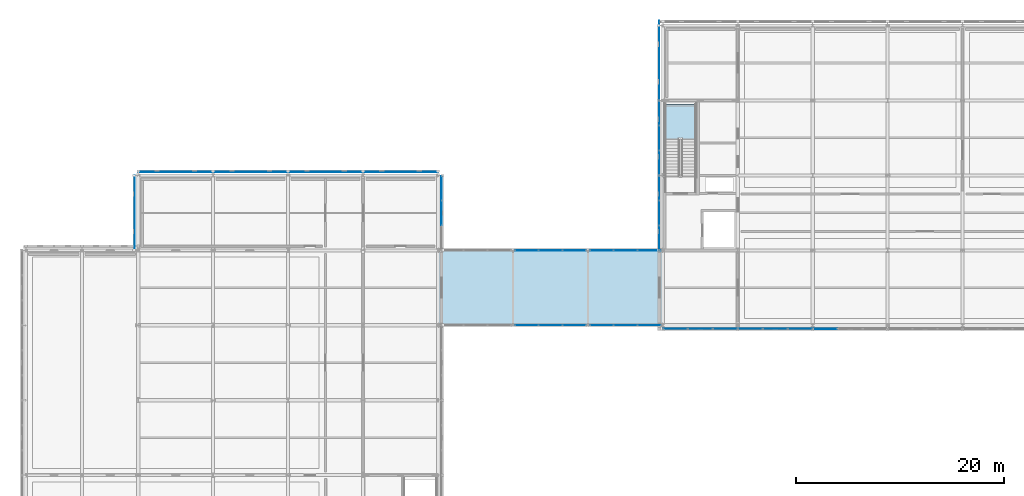
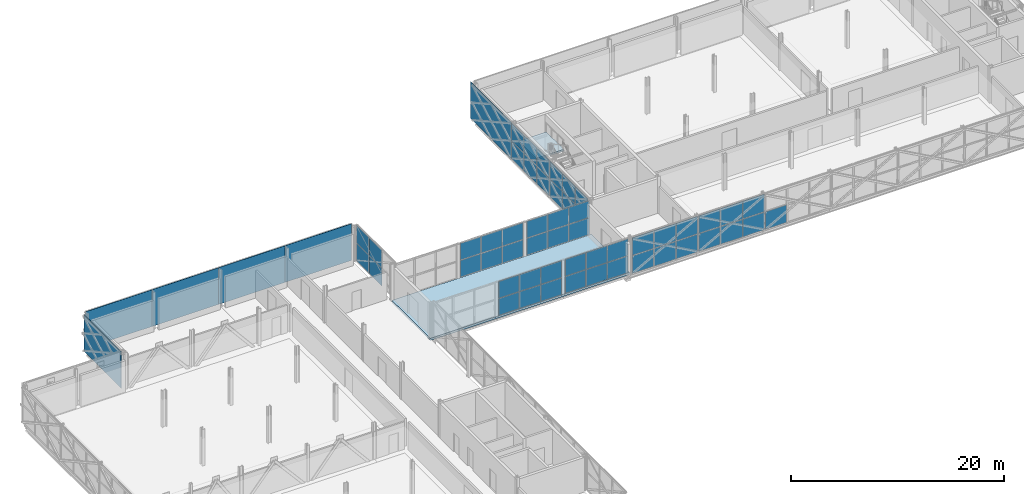
# One storey, part 70 of 103: 59 plates, 2 slabs, 11 elements without a shape of their own.
"""IFC4 building model written with IfcOpenShell, lengths in metres."""

from ifc_helpers import new_model, si_unit, direction, frame, origin, origin_2d, place, context, subcontext, project, spatial, polyline, rectangle, outline, extrude, material, layer, layer_set, type_object, element, aggregate, save


model = new_model("IFC4")

# Units and contexts
model_context = context("Model", 3, precision=1e-05, world=origin(), true_north=direction((0.0, 1.0)))
body_context = subcontext(model_context, "Body", "Model", "MODEL_VIEW")
ifc_project = project(units=[si_unit("LENGTHUNIT", "METRE"), si_unit("AREAUNIT", "SQUARE_METRE"), si_unit("VOLUMEUNIT", "CUBIC_METRE"), si_unit("PLANEANGLEUNIT", "RADIAN"), si_unit("MASSUNIT", "GRAM", prefix="KILO")], contexts=[model_context])

# Site, building, storey
site_placement = place(None, origin())
site = spatial("IfcSite", under=ifc_project, at=site_placement, CompositionType="ELEMENT")
building_placement = place(site_placement, origin())
building = spatial("IfcBuilding", under=site, at=building_placement, Name="Zlatovets Crest Museum", CompositionType="ELEMENT")
storey_placement = place(building_placement, frame((0.0, 0.0, 12.89990234375)))
storey = spatial("IfcBuildingStorey", under=building, at=storey_placement, Name="L03", CompositionType="ELEMENT", Elevation=12.89990234375)

# Curtain wall, plates
ifc_material_1 = material(Name="Bronze-anodised aluminium and low-E triple glass", Category="aluminium")
curtain_wall_type_1 = type_object("IfcCurtainWallType", Name="CW_CW-BR3-L03-S69", PredefinedType="NOTDEFINED", material=ifc_material_1)
curtain_wall_1_placement = place(storey_placement, origin())
curtain_wall_1 = element("IfcCurtainWall", 1, at=curtain_wall_1_placement, inside=storey, type_object=curtain_wall_type_1, Name="Northwest Crest Glazed Link Bridge L03 Glazed Bridge Curtain Wall", PredefinedType="NOTDEFINED")
ifc_material_2 = material(Name="Solar-control low-E laminated triple glass", Category="glass")
ifc_layer_1 = layer(ifc_material_2, 0.030029296875)
ifc_layer_set_1 = layer_set([ifc_layer_1], Name="Solar-control low-E laminated triple glass")
plate_type_1 = type_object("IfcPlateType", Name="CWPanel_CW-BR3-L03-S69", PredefinedType="CURTAIN_PANEL", material=ifc_layer_set_1)
plate_1_placement = place(storey_placement, frame((44.514892578125, 86.39990234375, 0.06005859375), z_axis=(0.0, 0.0, 1.0), x_axis=(1.0, 0.0, 0.0)))
plate_1 = element("IfcPlate", 2, at=plate_1_placement, type_object=plate_type_1, Name="CW-BR3-L03-S69 panel 1.1", PredefinedType="CURTAIN_PANEL", context=body_context, shape_type="SweptSolid", body=[
    extrude(rectangle(XDim=2.2099609375, YDim=0.030029296875, at=origin_2d()), origin(), (0.0, 0.0, 1.0), 1.89990234375),
])
plate_2_placement = place(storey_placement, frame((44.514892578125, 86.39990234375, 2.020263671875), z_axis=(0.0, 0.0, 1.0), x_axis=(1.0, 0.0, 0.0)))
plate_2 = element("IfcPlate", 3, at=plate_2_placement, type_object=plate_type_1, Name="CW-BR3-L03-S69 panel 1.2", PredefinedType="CURTAIN_PANEL", context=body_context, shape_type="SweptSolid", body=[
    extrude(rectangle(XDim=2.2099609375, YDim=0.030029296875, at=origin_2d()), origin(), (0.0, 0.0, 1.0), 1.89990234375),
])
plate_3_placement = place(storey_placement, frame((46.800048828125, 86.39990234375, 0.06005859375), z_axis=(0.0, 0.0, 1.0), x_axis=(1.0, 0.0, 0.0)))
plate_3 = element("IfcPlate", 4, at=plate_3_placement, type_object=plate_type_1, Name="CW-BR3-L03-S69 panel 2.1", PredefinedType="CURTAIN_PANEL", context=body_context, shape_type="SweptSolid", body=[
    extrude(rectangle(XDim=2.239990234375, YDim=0.030029296875, at=origin_2d()), origin(), (0.0, 0.0, 1.0), 1.89990234375),
])
plate_4_placement = place(storey_placement, frame((46.800048828125, 86.39990234375, 2.020263671875), z_axis=(0.0, 0.0, 1.0), x_axis=(1.0, 0.0, 0.0)))
plate_4 = element("IfcPlate", 5, at=plate_4_placement, type_object=plate_type_1, Name="CW-BR3-L03-S69 panel 2.2", PredefinedType="CURTAIN_PANEL", context=body_context, shape_type="SweptSolid", body=[
    extrude(rectangle(XDim=2.239990234375, YDim=0.030029296875, at=origin_2d()), origin(), (0.0, 0.0, 1.0), 1.89990234375),
])
plate_5_placement = place(storey_placement, frame((49.0849609375, 86.39990234375, 0.06005859375), z_axis=(0.0, 0.0, 1.0), x_axis=(1.0, 0.0, 0.0)))
plate_5 = element("IfcPlate", 6, at=plate_5_placement, type_object=plate_type_1, Name="CW-BR3-L03-S69 panel 3.1", PredefinedType="CURTAIN_PANEL", context=body_context, shape_type="SweptSolid", body=[
    extrude(rectangle(XDim=2.2099609375, YDim=0.030029296875, at=origin_2d()), origin(), (0.0, 0.0, 1.0), 1.89990234375),
])
plate_6_placement = place(storey_placement, frame((49.0849609375, 86.39990234375, 2.020263671875), z_axis=(0.0, 0.0, 1.0), x_axis=(1.0, 0.0, 0.0)))
plate_6 = element("IfcPlate", 7, at=plate_6_placement, type_object=plate_type_1, Name="CW-BR3-L03-S69 panel 3.2", PredefinedType="CURTAIN_PANEL", context=body_context, shape_type="SweptSolid", body=[
    extrude(rectangle(XDim=2.2099609375, YDim=0.030029296875, at=origin_2d()), origin(), (0.0, 0.0, 1.0), 1.89990234375),
])
aggregate(curtain_wall_1, [plate_1, plate_2, plate_3, plate_4, plate_5, plate_6])

curtain_wall_2_placement = place(storey_placement, origin())
curtain_wall_2 = element("IfcCurtainWall", 8, at=curtain_wall_2_placement, inside=storey, type_object=curtain_wall_type_1, Name="Northwest Crest Glazed Link Bridge L03 Glazed Bridge Curtain Wall", PredefinedType="NOTDEFINED")
plate_7_placement = place(storey_placement, frame((51.715087890625, 86.39990234375, 0.06005859375), z_axis=(0.0, 0.0, 1.0), x_axis=(1.0, 0.0, 0.0)))
plate_7 = element("IfcPlate", 9, at=plate_7_placement, type_object=plate_type_1, Name="CW-BR3-L03-S69 panel 1.1", PredefinedType="CURTAIN_PANEL", context=body_context, shape_type="SweptSolid", body=[
    extrude(rectangle(XDim=2.2099609375, YDim=0.030029296875, at=origin_2d()), origin(), (0.0, 0.0, 1.0), 1.89990234375),
])
plate_8_placement = place(storey_placement, frame((51.715087890625, 86.39990234375, 2.020263671875), z_axis=(0.0, 0.0, 1.0), x_axis=(1.0, 0.0, 0.0)))
plate_8 = element("IfcPlate", 10, at=plate_8_placement, type_object=plate_type_1, Name="CW-BR3-L03-S69 panel 1.2", PredefinedType="CURTAIN_PANEL", context=body_context, shape_type="SweptSolid", body=[
    extrude(rectangle(XDim=2.2099609375, YDim=0.030029296875, at=origin_2d()), origin(), (0.0, 0.0, 1.0), 1.89990234375),
])
plate_9_placement = place(storey_placement, frame((54.0, 86.39990234375, 0.06005859375), z_axis=(0.0, 0.0, 1.0), x_axis=(1.0, 0.0, 0.0)))
plate_9 = element("IfcPlate", 11, at=plate_9_placement, type_object=plate_type_1, Name="CW-BR3-L03-S69 panel 2.1", PredefinedType="CURTAIN_PANEL", context=body_context, shape_type="SweptSolid", body=[
    extrude(rectangle(XDim=2.239990234375, YDim=0.030029296875, at=origin_2d()), origin(), (0.0, 0.0, 1.0), 1.89990234375),
])
plate_10_placement = place(storey_placement, frame((54.0, 86.39990234375, 2.020263671875), z_axis=(0.0, 0.0, 1.0), x_axis=(1.0, 0.0, 0.0)))
plate_10 = element("IfcPlate", 12, at=plate_10_placement, type_object=plate_type_1, Name="CW-BR3-L03-S69 panel 2.2", PredefinedType="CURTAIN_PANEL", context=body_context, shape_type="SweptSolid", body=[
    extrude(rectangle(XDim=2.239990234375, YDim=0.030029296875, at=origin_2d()), origin(), (0.0, 0.0, 1.0), 1.89990234375),
])
plate_11_placement = place(storey_placement, frame((56.284912109375, 86.39990234375, 0.06005859375), z_axis=(0.0, 0.0, 1.0), x_axis=(1.0, 0.0, 0.0)))
plate_11 = element("IfcPlate", 13, at=plate_11_placement, type_object=plate_type_1, Name="CW-BR3-L03-S69 panel 3.1", PredefinedType="CURTAIN_PANEL", context=body_context, shape_type="SweptSolid", body=[
    extrude(rectangle(XDim=2.2099609375, YDim=0.030029296875, at=origin_2d()), origin(), (0.0, 0.0, 1.0), 1.89990234375),
])
plate_12_placement = place(storey_placement, frame((56.284912109375, 86.39990234375, 2.020263671875), z_axis=(0.0, 0.0, 1.0), x_axis=(1.0, 0.0, 0.0)))
plate_12 = element("IfcPlate", 14, at=plate_12_placement, type_object=plate_type_1, Name="CW-BR3-L03-S69 panel 3.2", PredefinedType="CURTAIN_PANEL", context=body_context, shape_type="SweptSolid", body=[
    extrude(rectangle(XDim=2.2099609375, YDim=0.030029296875, at=origin_2d()), origin(), (0.0, 0.0, 1.0), 1.89990234375),
])
aggregate(curtain_wall_2, [plate_7, plate_8, plate_9, plate_10, plate_11, plate_12])

curtain_wall_3_placement = place(storey_placement, origin())
curtain_wall_3 = element("IfcCurtainWall", 15, at=curtain_wall_3_placement, inside=storey, type_object=curtain_wall_type_1, Name="Northwest Crest Glazed Link Bridge L03 Glazed Bridge Curtain Wall", PredefinedType="NOTDEFINED")
plate_13_placement = place(storey_placement, frame((44.514892578125, 93.60009765625, 0.06005859375), z_axis=(0.0, 0.0, 1.0), x_axis=(1.0, 0.0, 0.0)))
plate_13 = element("IfcPlate", 16, at=plate_13_placement, type_object=plate_type_1, Name="CW-BR3-L03-S69 panel 1.1", PredefinedType="CURTAIN_PANEL", context=body_context, shape_type="SweptSolid", body=[
    extrude(rectangle(XDim=2.2099609375, YDim=0.030029296875, at=origin_2d()), origin(), (0.0, 0.0, 1.0), 1.89990234375),
])
plate_14_placement = place(storey_placement, frame((44.514892578125, 93.60009765625, 2.020263671875), z_axis=(0.0, 0.0, 1.0), x_axis=(1.0, 0.0, 0.0)))
plate_14 = element("IfcPlate", 17, at=plate_14_placement, type_object=plate_type_1, Name="CW-BR3-L03-S69 panel 1.2", PredefinedType="CURTAIN_PANEL", context=body_context, shape_type="SweptSolid", body=[
    extrude(rectangle(XDim=2.2099609375, YDim=0.030029296875, at=origin_2d()), origin(), (0.0, 0.0, 1.0), 1.89990234375),
])
plate_15_placement = place(storey_placement, frame((46.800048828125, 93.60009765625, 0.06005859375), z_axis=(0.0, 0.0, 1.0), x_axis=(1.0, 0.0, 0.0)))
plate_15 = element("IfcPlate", 18, at=plate_15_placement, type_object=plate_type_1, Name="CW-BR3-L03-S69 panel 2.1", PredefinedType="CURTAIN_PANEL", context=body_context, shape_type="SweptSolid", body=[
    extrude(rectangle(XDim=2.239990234375, YDim=0.030029296875, at=origin_2d()), origin(), (0.0, 0.0, 1.0), 1.89990234375),
])
plate_16_placement = place(storey_placement, frame((46.800048828125, 93.60009765625, 2.020263671875), z_axis=(0.0, 0.0, 1.0), x_axis=(1.0, 0.0, 0.0)))
plate_16 = element("IfcPlate", 19, at=plate_16_placement, type_object=plate_type_1, Name="CW-BR3-L03-S69 panel 2.2", PredefinedType="CURTAIN_PANEL", context=body_context, shape_type="SweptSolid", body=[
    extrude(rectangle(XDim=2.239990234375, YDim=0.030029296875, at=origin_2d()), origin(), (0.0, 0.0, 1.0), 1.89990234375),
])
plate_17_placement = place(storey_placement, frame((49.0849609375, 93.60009765625, 0.06005859375), z_axis=(0.0, 0.0, 1.0), x_axis=(1.0, 0.0, 0.0)))
plate_17 = element("IfcPlate", 20, at=plate_17_placement, type_object=plate_type_1, Name="CW-BR3-L03-S69 panel 3.1", PredefinedType="CURTAIN_PANEL", context=body_context, shape_type="SweptSolid", body=[
    extrude(rectangle(XDim=2.2099609375, YDim=0.030029296875, at=origin_2d()), origin(), (0.0, 0.0, 1.0), 1.89990234375),
])
plate_18_placement = place(storey_placement, frame((49.0849609375, 93.60009765625, 2.020263671875), z_axis=(0.0, 0.0, 1.0), x_axis=(1.0, 0.0, 0.0)))
plate_18 = element("IfcPlate", 21, at=plate_18_placement, type_object=plate_type_1, Name="CW-BR3-L03-S69 panel 3.2", PredefinedType="CURTAIN_PANEL", context=body_context, shape_type="SweptSolid", body=[
    extrude(rectangle(XDim=2.2099609375, YDim=0.030029296875, at=origin_2d()), origin(), (0.0, 0.0, 1.0), 1.89990234375),
])
aggregate(curtain_wall_3, [plate_13, plate_14, plate_15, plate_16, plate_17, plate_18])

curtain_wall_4_placement = place(storey_placement, origin())
curtain_wall_4 = element("IfcCurtainWall", 22, at=curtain_wall_4_placement, inside=storey, type_object=curtain_wall_type_1, Name="Northwest Crest Glazed Link Bridge L03 Glazed Bridge Curtain Wall", PredefinedType="NOTDEFINED")
plate_19_placement = place(storey_placement, frame((51.715087890625, 93.60009765625, 0.06005859375), z_axis=(0.0, 0.0, 1.0), x_axis=(1.0, 0.0, 0.0)))
plate_19 = element("IfcPlate", 23, at=plate_19_placement, type_object=plate_type_1, Name="CW-BR3-L03-S69 panel 1.1", PredefinedType="CURTAIN_PANEL", context=body_context, shape_type="SweptSolid", body=[
    extrude(rectangle(XDim=2.2099609375, YDim=0.030029296875, at=origin_2d()), origin(), (0.0, 0.0, 1.0), 1.89990234375),
])
plate_20_placement = place(storey_placement, frame((51.715087890625, 93.60009765625, 2.020263671875), z_axis=(0.0, 0.0, 1.0), x_axis=(1.0, 0.0, 0.0)))
plate_20 = element("IfcPlate", 24, at=plate_20_placement, type_object=plate_type_1, Name="CW-BR3-L03-S69 panel 1.2", PredefinedType="CURTAIN_PANEL", context=body_context, shape_type="SweptSolid", body=[
    extrude(rectangle(XDim=2.2099609375, YDim=0.030029296875, at=origin_2d()), origin(), (0.0, 0.0, 1.0), 1.89990234375),
])
plate_21_placement = place(storey_placement, frame((54.0, 93.60009765625, 0.06005859375), z_axis=(0.0, 0.0, 1.0), x_axis=(1.0, 0.0, 0.0)))
plate_21 = element("IfcPlate", 25, at=plate_21_placement, type_object=plate_type_1, Name="CW-BR3-L03-S69 panel 2.1", PredefinedType="CURTAIN_PANEL", context=body_context, shape_type="SweptSolid", body=[
    extrude(rectangle(XDim=2.239990234375, YDim=0.030029296875, at=origin_2d()), origin(), (0.0, 0.0, 1.0), 1.89990234375),
])
plate_22_placement = place(storey_placement, frame((54.0, 93.60009765625, 2.020263671875), z_axis=(0.0, 0.0, 1.0), x_axis=(1.0, 0.0, 0.0)))
plate_22 = element("IfcPlate", 26, at=plate_22_placement, type_object=plate_type_1, Name="CW-BR3-L03-S69 panel 2.2", PredefinedType="CURTAIN_PANEL", context=body_context, shape_type="SweptSolid", body=[
    extrude(rectangle(XDim=2.239990234375, YDim=0.030029296875, at=origin_2d()), origin(), (0.0, 0.0, 1.0), 1.89990234375),
])
plate_23_placement = place(storey_placement, frame((56.284912109375, 93.60009765625, 0.06005859375), z_axis=(0.0, 0.0, 1.0), x_axis=(1.0, 0.0, 0.0)))
plate_23 = element("IfcPlate", 27, at=plate_23_placement, type_object=plate_type_1, Name="CW-BR3-L03-S69 panel 3.1", PredefinedType="CURTAIN_PANEL", context=body_context, shape_type="SweptSolid", body=[
    extrude(rectangle(XDim=2.2099609375, YDim=0.030029296875, at=origin_2d()), origin(), (0.0, 0.0, 1.0), 1.89990234375),
])
plate_24_placement = place(storey_placement, frame((56.284912109375, 93.60009765625, 2.020263671875), z_axis=(0.0, 0.0, 1.0), x_axis=(1.0, 0.0, 0.0)))
plate_24 = element("IfcPlate", 28, at=plate_24_placement, type_object=plate_type_1, Name="CW-BR3-L03-S69 panel 3.2", PredefinedType="CURTAIN_PANEL", context=body_context, shape_type="SweptSolid", body=[
    extrude(rectangle(XDim=2.2099609375, YDim=0.030029296875, at=origin_2d()), origin(), (0.0, 0.0, 1.0), 1.89990234375),
])
aggregate(curtain_wall_4, [plate_19, plate_20, plate_21, plate_22, plate_23, plate_24])

curtain_wall_type_2 = type_object("IfcCurtainWallType", Name="CW_CW-V1-L03-M0", PredefinedType="NOTDEFINED", material=ifc_material_1)
curtain_wall_5_placement = place(storey_placement, origin())
curtain_wall_5 = element("IfcCurtainWall", 29, at=curtain_wall_5_placement, inside=storey, type_object=curtain_wall_type_2, Name="V1 L03 Secession Foyer Clear Curtain Wall", PredefinedType="NOTDEFINED")
ifc_layer_2 = layer(ifc_material_2, 0.028076171875)
ifc_layer_set_2 = layer_set([ifc_layer_2], Name="Solar-control low-E laminated triple glass")
plate_type_2 = type_object("IfcPlateType", Name="CWPanel_CW-V1-L03-M0", PredefinedType="CURTAIN_PANEL", material=ifc_layer_set_2)
plate_25_placement = place(storey_placement, frame((58.81494140625, 86.06005859375, 0.06005859375), z_axis=(0.0, 0.0, 1.0), x_axis=(1.0, 0.0, 0.0)))
plate_25 = element("IfcPlate", 30, at=plate_25_placement, type_object=plate_type_2, Name="CW-V1-L03-M0 panel 1.1", PredefinedType="CURTAIN_PANEL", context=body_context, shape_type="SweptSolid", body=[
    extrude(rectangle(XDim=2.31005859375, YDim=0.028076171875, at=origin_2d()), origin(), (0.0, 0.0, 1.0), 2.010009765625),
])
plate_26_placement = place(storey_placement, frame((58.81494140625, 86.06005859375, 2.1298828125), z_axis=(0.0, 0.0, 1.0), x_axis=(1.0, 0.0, 0.0)))
plate_26 = element("IfcPlate", 31, at=plate_26_placement, type_object=plate_type_2, Name="CW-V1-L03-M0 panel 1.2", PredefinedType="CURTAIN_PANEL", context=body_context, shape_type="SweptSolid", body=[
    extrude(rectangle(XDim=2.31005859375, YDim=0.028076171875, at=origin_2d()), origin(), (0.0, 0.0, 1.0), 2.010009765625),
])
plate_27_placement = place(storey_placement, frame((61.199951171875, 86.06005859375, 0.06005859375), z_axis=(0.0, 0.0, 1.0), x_axis=(1.0, 0.0, 0.0)))
plate_27 = element("IfcPlate", 32, at=plate_27_placement, type_object=plate_type_2, Name="CW-V1-L03-M0 panel 2.1", PredefinedType="CURTAIN_PANEL", context=body_context, shape_type="SweptSolid", body=[
    extrude(rectangle(XDim=2.340087890625, YDim=0.028076171875, at=origin_2d()), origin(), (0.0, 0.0, 1.0), 2.010009765625),
])
plate_28_placement = place(storey_placement, frame((61.199951171875, 86.06005859375, 2.1298828125), z_axis=(0.0, 0.0, 1.0), x_axis=(1.0, 0.0, 0.0)))
plate_28 = element("IfcPlate", 33, at=plate_28_placement, type_object=plate_type_2, Name="CW-V1-L03-M0 panel 2.2", PredefinedType="CURTAIN_PANEL", context=body_context, shape_type="SweptSolid", body=[
    extrude(rectangle(XDim=2.340087890625, YDim=0.028076171875, at=origin_2d()), origin(), (0.0, 0.0, 1.0), 2.010009765625),
])
plate_29_placement = place(storey_placement, frame((63.5849609375, 86.06005859375, 0.06005859375), z_axis=(0.0, 0.0, 1.0), x_axis=(1.0, 0.0, 0.0)))
plate_29 = element("IfcPlate", 34, at=plate_29_placement, type_object=plate_type_2, Name="CW-V1-L03-M0 panel 3.1", PredefinedType="CURTAIN_PANEL", context=body_context, shape_type="SweptSolid", body=[
    extrude(rectangle(XDim=2.31005859375, YDim=0.028076171875, at=origin_2d()), origin(), (0.0, 0.0, 1.0), 2.010009765625),
])
plate_30_placement = place(storey_placement, frame((63.5849609375, 86.06005859375, 2.1298828125), z_axis=(0.0, 0.0, 1.0), x_axis=(1.0, 0.0, 0.0)))
plate_30 = element("IfcPlate", 35, at=plate_30_placement, type_object=plate_type_2, Name="CW-V1-L03-M0 panel 3.2", PredefinedType="CURTAIN_PANEL", context=body_context, shape_type="SweptSolid", body=[
    extrude(rectangle(XDim=2.31005859375, YDim=0.028076171875, at=origin_2d()), origin(), (0.0, 0.0, 1.0), 2.010009765625),
])
aggregate(curtain_wall_5, [plate_25, plate_26, plate_27, plate_28, plate_29, plate_30])

curtain_wall_6_placement = place(storey_placement, origin())
curtain_wall_6 = element("IfcCurtainWall", 36, at=curtain_wall_6_placement, inside=storey, type_object=curtain_wall_type_2, Name="V1 L03 Expressed Core Glazed Facade", PredefinedType="NOTDEFINED")
plate_31_placement = place(storey_placement, frame((57.260009765625, 99.5849609375, 0.06005859375), z_axis=(0.0, 0.0, 1.0), x_axis=(0.0, -1.0, 0.0)))
plate_31 = element("IfcPlate", 37, at=plate_31_placement, type_object=plate_type_2, Name="CW-V1-L03-M0 panel 1.1", PredefinedType="CURTAIN_PANEL", context=body_context, shape_type="SweptSolid", body=[
    extrude(rectangle(XDim=2.31005859375, YDim=0.030029296875, at=origin_2d()), origin(), (0.0, 0.0, 1.0), 2.010009765625),
])
plate_32_placement = place(storey_placement, frame((57.260009765625, 99.5849609375, 2.1298828125), z_axis=(0.0, 0.0, 1.0), x_axis=(0.0, -1.0, 0.0)))
plate_32 = element("IfcPlate", 38, at=plate_32_placement, type_object=plate_type_2, Name="CW-V1-L03-M0 panel 1.2", PredefinedType="CURTAIN_PANEL", context=body_context, shape_type="SweptSolid", body=[
    extrude(rectangle(XDim=2.31005859375, YDim=0.030029296875, at=origin_2d()), origin(), (0.0, 0.0, 1.0), 2.010009765625),
])
plate_33_placement = place(storey_placement, frame((57.260009765625, 97.199951171875, 0.06005859375), z_axis=(0.0, 0.0, 1.0), x_axis=(0.0, -1.0, 0.0)))
plate_33 = element("IfcPlate", 39, at=plate_33_placement, type_object=plate_type_2, Name="CW-V1-L03-M0 panel 2.1", PredefinedType="CURTAIN_PANEL", context=body_context, shape_type="SweptSolid", body=[
    extrude(rectangle(XDim=2.340087890625, YDim=0.030029296875, at=origin_2d()), origin(), (0.0, 0.0, 1.0), 2.010009765625),
])
plate_34_placement = place(storey_placement, frame((57.260009765625, 97.199951171875, 2.1298828125), z_axis=(0.0, 0.0, 1.0), x_axis=(0.0, -1.0, 0.0)))
plate_34 = element("IfcPlate", 40, at=plate_34_placement, type_object=plate_type_2, Name="CW-V1-L03-M0 panel 2.2", PredefinedType="CURTAIN_PANEL", context=body_context, shape_type="SweptSolid", body=[
    extrude(rectangle(XDim=2.340087890625, YDim=0.030029296875, at=origin_2d()), origin(), (0.0, 0.0, 1.0), 2.010009765625),
])
plate_35_placement = place(storey_placement, frame((57.260009765625, 94.81494140625, 0.06005859375), z_axis=(0.0, 0.0, 1.0), x_axis=(0.0, -1.0, 0.0)))
plate_35 = element("IfcPlate", 41, at=plate_35_placement, type_object=plate_type_2, Name="CW-V1-L03-M0 panel 3.1", PredefinedType="CURTAIN_PANEL", context=body_context, shape_type="SweptSolid", body=[
    extrude(rectangle(XDim=2.31005859375, YDim=0.030029296875, at=origin_2d()), origin(), (0.0, 0.0, 1.0), 2.010009765625),
])
plate_36_placement = place(storey_placement, frame((57.260009765625, 94.81494140625, 2.1298828125), z_axis=(0.0, 0.0, 1.0), x_axis=(0.0, -1.0, 0.0)))
plate_36 = element("IfcPlate", 42, at=plate_36_placement, type_object=plate_type_2, Name="CW-V1-L03-M0 panel 3.2", PredefinedType="CURTAIN_PANEL", context=body_context, shape_type="SweptSolid", body=[
    extrude(rectangle(XDim=2.31005859375, YDim=0.030029296875, at=origin_2d()), origin(), (0.0, 0.0, 1.0), 2.010009765625),
])
aggregate(curtain_wall_6, [plate_31, plate_32, plate_33, plate_34, plate_35, plate_36])

curtain_wall_type_3 = type_object("IfcCurtainWallType", Name="CW_CW-V1-L03-M1", PredefinedType="NOTDEFINED", material=ifc_material_1)
curtain_wall_7_placement = place(storey_placement, origin())
curtain_wall_7 = element("IfcCurtainWall", 43, at=curtain_wall_7_placement, inside=storey, type_object=curtain_wall_type_3, Name="V1 L03 Secession Foyer Clear Curtain Wall", PredefinedType="NOTDEFINED")
ifc_layer_3 = layer(ifc_material_2, 0.031982421875)
ifc_layer_set_3 = layer_set([ifc_layer_3], Name="Solar-control low-E laminated triple glass")
plate_type_3 = type_object("IfcPlateType", Name="CWPanel_CW-V1-L03-M1", PredefinedType="CURTAIN_PANEL", material=ifc_layer_set_3)
plate_37_placement = place(storey_placement, frame((66.014892578125, 86.06005859375, 0.06005859375), z_axis=(0.0, 0.0, 1.0), x_axis=(1.0, 0.0, 0.0)))
plate_37 = element("IfcPlate", 44, at=plate_37_placement, type_object=plate_type_3, Name="CW-V1-L03-M1 panel 1.1", PredefinedType="CURTAIN_PANEL", context=body_context, shape_type="SweptSolid", body=[
    extrude(rectangle(XDim=2.31005859375, YDim=0.031982421875, at=origin_2d()), origin(), (0.0, 0.0, 1.0), 2.010009765625),
])
plate_38_placement = place(storey_placement, frame((66.014892578125, 86.06005859375, 2.1298828125), z_axis=(0.0, 0.0, 1.0), x_axis=(1.0, 0.0, 0.0)))
plate_38 = element("IfcPlate", 45, at=plate_38_placement, type_object=plate_type_3, Name="CW-V1-L03-M1 panel 1.2", PredefinedType="CURTAIN_PANEL", context=body_context, shape_type="SweptSolid", body=[
    extrude(rectangle(XDim=2.31005859375, YDim=0.031982421875, at=origin_2d()), origin(), (0.0, 0.0, 1.0), 2.010009765625),
])
plate_39_placement = place(storey_placement, frame((68.39990234375, 86.06005859375, 0.06005859375), z_axis=(0.0, 0.0, 1.0), x_axis=(1.0, 0.0, 0.0)))
plate_39 = element("IfcPlate", 46, at=plate_39_placement, type_object=plate_type_3, Name="CW-V1-L03-M1 panel 2.1", PredefinedType="CURTAIN_PANEL", context=body_context, shape_type="SweptSolid", body=[
    extrude(rectangle(XDim=2.340087890625, YDim=0.031982421875, at=origin_2d()), origin(), (0.0, 0.0, 1.0), 2.010009765625),
])
plate_40_placement = place(storey_placement, frame((68.39990234375, 86.06005859375, 2.1298828125), z_axis=(0.0, 0.0, 1.0), x_axis=(1.0, 0.0, 0.0)))
plate_40 = element("IfcPlate", 47, at=plate_40_placement, type_object=plate_type_3, Name="CW-V1-L03-M1 panel 2.2", PredefinedType="CURTAIN_PANEL", context=body_context, shape_type="SweptSolid", body=[
    extrude(rectangle(XDim=2.340087890625, YDim=0.031982421875, at=origin_2d()), origin(), (0.0, 0.0, 1.0), 2.010009765625),
])
plate_41_placement = place(storey_placement, frame((70.784912109375, 86.06005859375, 0.06005859375), z_axis=(0.0, 0.0, 1.0), x_axis=(1.0, 0.0, 0.0)))
plate_41 = element("IfcPlate", 48, at=plate_41_placement, type_object=plate_type_3, Name="CW-V1-L03-M1 panel 3.1", PredefinedType="CURTAIN_PANEL", context=body_context, shape_type="SweptSolid", body=[
    extrude(rectangle(XDim=2.31005859375, YDim=0.031982421875, at=origin_2d()), origin(), (0.0, 0.0, 1.0), 2.010009765625),
])
plate_42_placement = place(storey_placement, frame((70.784912109375, 86.06005859375, 2.1298828125), z_axis=(0.0, 0.0, 1.0), x_axis=(1.0, 0.0, 0.0)))
plate_42 = element("IfcPlate", 49, at=plate_42_placement, type_object=plate_type_3, Name="CW-V1-L03-M1 panel 3.2", PredefinedType="CURTAIN_PANEL", context=body_context, shape_type="SweptSolid", body=[
    extrude(rectangle(XDim=2.31005859375, YDim=0.031982421875, at=origin_2d()), origin(), (0.0, 0.0, 1.0), 2.010009765625),
])
aggregate(curtain_wall_7, [plate_37, plate_38, plate_39, plate_40, plate_41, plate_42])

# Curtain wall, plate
curtain_wall_type_4 = type_object("IfcCurtainWallType", Name="CW_CW-V1-L03-M2", PredefinedType="NOTDEFINED", material=ifc_material_1)
curtain_wall_8_placement = place(storey_placement, origin())
curtain_wall_8 = element("IfcCurtainWall", 50, at=curtain_wall_8_placement, inside=storey, type_object=curtain_wall_type_4, Name="V1 L03 Secession Foyer Clear Curtain Wall", PredefinedType="NOTDEFINED")
ifc_layer_4 = layer(ifc_material_2, 0.035888671875)
ifc_layer_set_4 = layer_set([ifc_layer_4], Name="Solar-control low-E laminated triple glass")
plate_type_4 = type_object("IfcPlateType", Name="CWPanel_CW-V1-L03-M2", PredefinedType="CURTAIN_PANEL", material=ifc_layer_set_4)
plate_43_placement = place(storey_placement, frame((73.215087890625, 86.06005859375, 0.06005859375), z_axis=(0.0, 0.0, 1.0), x_axis=(1.0, 0.0, 0.0)))
plate_43 = element("IfcPlate", 51, at=plate_43_placement, type_object=plate_type_4, Name="CW-V1-L03-M2 panel 1.1", PredefinedType="CURTAIN_PANEL", context=body_context, shape_type="SweptSolid", body=[
    extrude(rectangle(XDim=2.31005859375, YDim=0.035888671875, at=origin_2d()), origin(), (0.0, 0.0, 1.0), 2.010009765625),
])
aggregate(curtain_wall_8, [plate_43])

# Curtain wall, plates
curtain_wall_type_5 = type_object("IfcCurtainWallType", Name="CW_CW-V1-L03-M3", PredefinedType="NOTDEFINED", material=ifc_material_1)
curtain_wall_9_placement = place(storey_placement, origin())
curtain_wall_9 = element("IfcCurtainWall", 52, at=curtain_wall_9_placement, inside=storey, type_object=curtain_wall_type_5, Name="V1 L03 Expressed Core Glazed Facade", PredefinedType="NOTDEFINED")
ifc_layer_5 = layer(ifc_material_2, 0.0400390625)
ifc_layer_set_5 = layer_set([ifc_layer_5], Name="Solar-control low-E laminated triple glass")
plate_type_5 = type_object("IfcPlateType", Name="CWPanel_CW-V1-L03-M3", PredefinedType="CURTAIN_PANEL", material=ifc_layer_set_5)
plate_44_placement = place(storey_placement, frame((57.260009765625, 106.784912109375, 0.06005859375), z_axis=(0.0, 0.0, 1.0), x_axis=(0.0, -1.0, 0.0)))
plate_44 = element("IfcPlate", 53, at=plate_44_placement, type_object=plate_type_5, Name="CW-V1-L03-M3 panel 1.1", PredefinedType="CURTAIN_PANEL", context=body_context, shape_type="SweptSolid", body=[
    extrude(rectangle(XDim=2.31005859375, YDim=0.030029296875, at=origin_2d()), origin(), (0.0, 0.0, 1.0), 2.010009765625),
])
plate_45_placement = place(storey_placement, frame((57.260009765625, 106.784912109375, 2.1298828125), z_axis=(0.0, 0.0, 1.0), x_axis=(0.0, -1.0, 0.0)))
plate_45 = element("IfcPlate", 54, at=plate_45_placement, type_object=plate_type_5, Name="CW-V1-L03-M3 panel 1.2", PredefinedType="CURTAIN_PANEL", context=body_context, shape_type="SweptSolid", body=[
    extrude(rectangle(XDim=2.31005859375, YDim=0.030029296875, at=origin_2d()), origin(), (0.0, 0.0, 1.0), 2.010009765625),
])
plate_46_placement = place(storey_placement, frame((57.260009765625, 104.39990234375, 0.06005859375), z_axis=(0.0, 0.0, 1.0), x_axis=(0.0, -1.0, 0.0)))
plate_46 = element("IfcPlate", 55, at=plate_46_placement, type_object=plate_type_5, Name="CW-V1-L03-M3 panel 2.1", PredefinedType="CURTAIN_PANEL", context=body_context, shape_type="SweptSolid", body=[
    extrude(rectangle(XDim=2.340087890625, YDim=0.030029296875, at=origin_2d()), origin(), (0.0, 0.0, 1.0), 2.010009765625),
])
plate_47_placement = place(storey_placement, frame((57.260009765625, 104.39990234375, 2.1298828125), z_axis=(0.0, 0.0, 1.0), x_axis=(0.0, -1.0, 0.0)))
plate_47 = element("IfcPlate", 56, at=plate_47_placement, type_object=plate_type_5, Name="CW-V1-L03-M3 panel 2.2", PredefinedType="CURTAIN_PANEL", context=body_context, shape_type="SweptSolid", body=[
    extrude(rectangle(XDim=2.340087890625, YDim=0.030029296875, at=origin_2d()), origin(), (0.0, 0.0, 1.0), 2.010009765625),
])
plate_48_placement = place(storey_placement, frame((57.260009765625, 102.014892578125, 0.06005859375), z_axis=(0.0, 0.0, 1.0), x_axis=(0.0, -1.0, 0.0)))
plate_48 = element("IfcPlate", 57, at=plate_48_placement, type_object=plate_type_5, Name="CW-V1-L03-M3 panel 3.1", PredefinedType="CURTAIN_PANEL", context=body_context, shape_type="SweptSolid", body=[
    extrude(rectangle(XDim=2.31005859375, YDim=0.030029296875, at=origin_2d()), origin(), (0.0, 0.0, 1.0), 2.010009765625),
])
plate_49_placement = place(storey_placement, frame((57.260009765625, 102.014892578125, 2.1298828125), z_axis=(0.0, 0.0, 1.0), x_axis=(0.0, -1.0, 0.0)))
plate_49 = element("IfcPlate", 58, at=plate_49_placement, type_object=plate_type_5, Name="CW-V1-L03-M3 panel 3.2", PredefinedType="CURTAIN_PANEL", context=body_context, shape_type="SweptSolid", body=[
    extrude(rectangle(XDim=2.31005859375, YDim=0.030029296875, at=origin_2d()), origin(), (0.0, 0.0, 1.0), 2.010009765625),
])
aggregate(curtain_wall_9, [plate_44, plate_45, plate_46, plate_47, plate_48, plate_49])

curtain_wall_type_6 = type_object("IfcCurtainWallType", Name="CW_CW-V4-L03-M2", PredefinedType="NOTDEFINED", material=ifc_material_1)
curtain_wall_10_placement = place(storey_placement, origin())
curtain_wall_10 = element("IfcCurtainWall", 59, at=curtain_wall_10_placement, inside=storey, type_object=curtain_wall_type_6, Name="V4 L03 Secession Foyer Clear Curtain Wall", PredefinedType="NOTDEFINED")
ifc_layer_6 = layer(ifc_material_2, 0.030029296875)
ifc_layer_set_6 = layer_set([ifc_layer_6], Name="Solar-control low-E laminated triple glass")
plate_type_6 = type_object("IfcPlateType", Name="CWPanel_CW-V4-L03-M2", PredefinedType="CURTAIN_PANEL", material=ifc_layer_set_6)
plate_50_placement = place(storey_placement, frame((36.340087890625, 97.199951171875, 0.06005859375), z_axis=(0.0, 0.0, 1.0), x_axis=(0.0, 1.0, 0.0)))
plate_50 = element("IfcPlate", 60, at=plate_50_placement, type_object=plate_type_6, Name="CW-V4-L03-M2 panel 2.1", PredefinedType="CURTAIN_PANEL", context=body_context, shape_type="SweptSolid", body=[
    extrude(rectangle(XDim=2.340087890625, YDim=0.035888671875, at=origin_2d()), origin(), (0.0, 0.0, 1.0), 2.010009765625),
])
plate_51_placement = place(storey_placement, frame((36.340087890625, 97.199951171875, 2.1298828125), z_axis=(0.0, 0.0, 1.0), x_axis=(0.0, 1.0, 0.0)))
plate_51 = element("IfcPlate", 61, at=plate_51_placement, type_object=plate_type_6, Name="CW-V4-L03-M2 panel 2.2", PredefinedType="CURTAIN_PANEL", context=body_context, shape_type="SweptSolid", body=[
    extrude(rectangle(XDim=2.340087890625, YDim=0.035888671875, at=origin_2d()), origin(), (0.0, 0.0, 1.0), 2.010009765625),
])
plate_52_placement = place(storey_placement, frame((36.340087890625, 99.5849609375, 0.06005859375), z_axis=(0.0, 0.0, 1.0), x_axis=(0.0, 1.0, 0.0)))
plate_52 = element("IfcPlate", 62, at=plate_52_placement, type_object=plate_type_6, Name="CW-V4-L03-M2 panel 3.1", PredefinedType="CURTAIN_PANEL", context=body_context, shape_type="SweptSolid", body=[
    extrude(rectangle(XDim=2.31005859375, YDim=0.035888671875, at=origin_2d()), origin(), (0.0, 0.0, 1.0), 2.010009765625),
])
plate_53_placement = place(storey_placement, frame((36.340087890625, 99.5849609375, 2.1298828125), z_axis=(0.0, 0.0, 1.0), x_axis=(0.0, 1.0, 0.0)))
plate_53 = element("IfcPlate", 63, at=plate_53_placement, type_object=plate_type_6, Name="CW-V4-L03-M2 panel 3.2", PredefinedType="CURTAIN_PANEL", context=body_context, shape_type="SweptSolid", body=[
    extrude(rectangle(XDim=2.31005859375, YDim=0.035888671875, at=origin_2d()), origin(), (0.0, 0.0, 1.0), 2.010009765625),
])
aggregate(curtain_wall_10, [plate_50, plate_51, plate_52, plate_53])

# Plates
ifc_material_3 = material(Name="Ceramic-fritted low-E laminated architectural glass", Category="glass")
ifc_layer_7 = layer(ifc_material_3, 0.031982421875)
ifc_layer_set_7 = layer_set([ifc_layer_7], Name="Ceramic-fritted low-E laminated architectural glass")
plate_type_7 = type_object("IfcPlateType", Name="GlazedSpandrel_GSP1", PredefinedType="USERDEFINED", material=ifc_layer_set_7)
plate_54_placement = place(storey_placement, frame((57.260009765625, 111.840087890625, 0.0), z_axis=(0.0, 0.0, 1.0), x_axis=(0.0, 1.0, 0.0)))
element("IfcPlate", 64, at=plate_54_placement, inside=storey, type_object=plate_type_7, Name="V1 L03 Ceramic-Fritted Gallery Glass Skin", ObjectType="GLAZED_SPANDREL", PredefinedType="USERDEFINED", context=body_context, shape_type="SweptSolid", body=[
    extrude(rectangle(XDim=7.679931640625, YDim=0.031982421875, at=origin_2d()), origin(), (0.0, 0.0, 1.0), 4.199951171875),
])
for number, where, z_axis, x_axis, name in (
    (65, (10.800048828125, 101.139892578125, 0.0), (0.0, 0.0, 1.0), (1.0, 0.0, 0.0), "V4 L03 Ceramic-Fritted Gallery Glass Skin"),
    (66, (18.0, 101.139892578125, 0.0), (0.0, 0.0, 1.0), (1.0, 0.0, 0.0), "V4 L03 Ceramic-Fritted Gallery Glass Skin"),
    (67, (25.199951171875, 101.139892578125, 0.0), (0.0, 0.0, 1.0), (1.0, 0.0, 0.0), "V4 L03 Ceramic-Fritted Gallery Glass Skin"),
    (68, (32.39990234375, 101.139892578125, 0.0), (0.0, 0.0, 1.0), (1.0, 0.0, 0.0), "V4 L03 Ceramic-Fritted Gallery Glass Skin"),
):
    element("IfcPlate", number, at=place(storey_placement, frame(where, z_axis=z_axis, x_axis=x_axis)), inside=storey, type_object=plate_type_7, Name=name, ObjectType="GLAZED_SPANDREL", PredefinedType="USERDEFINED", context=body_context, shape_type="SweptSolid", body=[
        extrude(rectangle(XDim=7.199951171875, YDim=0.031982421875, at=origin_2d()), origin(), (0.0, 0.0, 1.0), 4.199951171875),
    ])
plate_55_placement = place(storey_placement, frame((6.860107421875, 97.300048828125, 0.0), z_axis=(0.0, 0.0, 1.0), x_axis=(0.0, 1.0, 0.0)))
element("IfcPlate", 69, at=plate_55_placement, inside=storey, type_object=plate_type_7, Name="V4 L03 Ceramic-Fritted Gallery Glass Skin", ObjectType="GLAZED_SPANDREL", PredefinedType="USERDEFINED", context=body_context, shape_type="SweptSolid", body=[
    extrude(rectangle(XDim=7.0, YDim=0.031982421875, at=origin_2d()), origin(), (0.0, 0.0, 1.0), 4.199951171875),
])

# Slab
ifc_material_4 = material(Name="Concrete C30/37", Category="concrete")
ifc_layer_8 = layer(ifc_material_4, 0.239990234375)
ifc_layer_set_8 = layer_set([ifc_layer_8], Name="Concrete C30/37")
slab_type_1 = type_object("IfcSlabType", Name="Slab_FS-03", PredefinedType="FLOOR", material=ifc_layer_set_8)
slab_1_placement = place(storey_placement, frame((0.0, 0.0, -0.239990234375)))
element("IfcSlab", 70, at=slab_1_placement, inside=storey, type_object=slab_type_1, Name="Northwest Crest Glazed Link Bridge L03 Deck Slab", PredefinedType="FLOOR", context=body_context, shape_type="SweptSolid", body=[
    extrude(outline(polyline([(57.60009765625, 86.39990234375), (57.60009765625, 93.60009765625), (36.0, 93.60009765625), (36.0, 86.39990234375), (57.60009765625, 86.39990234375)])), origin(), (0.0, 0.0, 1.0), 0.239990234375),
])

# Stair, slab
ifc_material_5 = material(Name="Concrete C35/45", Category="concrete")
stair_type = type_object("IfcStairType", Name="Stair_ST1-26R", PredefinedType="HALF_TURN_STAIR", material=ifc_material_5)
stair_placement = place(storey_placement, origin())
stair = element("IfcStair", 71, at=stair_placement, inside=storey, type_object=stair_type, Name="L03 Core C1 Escape Stair ST1", PredefinedType="HALF_TURN_STAIR")
ifc_layer_9 = layer(ifc_material_5, 0.199951171875)
ifc_layer_set_9 = layer_set([ifc_layer_9], Name="Concrete C35/45")
slab_type_2 = type_object("IfcSlabType", Name="StairLanding_SLD1", PredefinedType="LANDING", material=ifc_layer_set_9)
slab_2_placement = place(storey_placement, frame((0.0, 0.0, 1.900146484375)))
slab_2 = element("IfcSlab", 72, at=slab_2_placement, type_object=slab_type_2, Name="ST1 landing 1", PredefinedType="LANDING", context=body_context, shape_type="SweptSolid", body=[
    extrude(outline(polyline([(60.800048828125, 104.300048828125), (60.800048828125, 107.60009765625), (57.800048828125, 107.60009765625), (57.800048828125, 104.300048828125), (60.800048828125, 104.300048828125)])), origin(), (0.0, 0.0, 1.0), 0.199951171875),
])
aggregate(stair, [slab_2])

save(model, "model.ifc")
